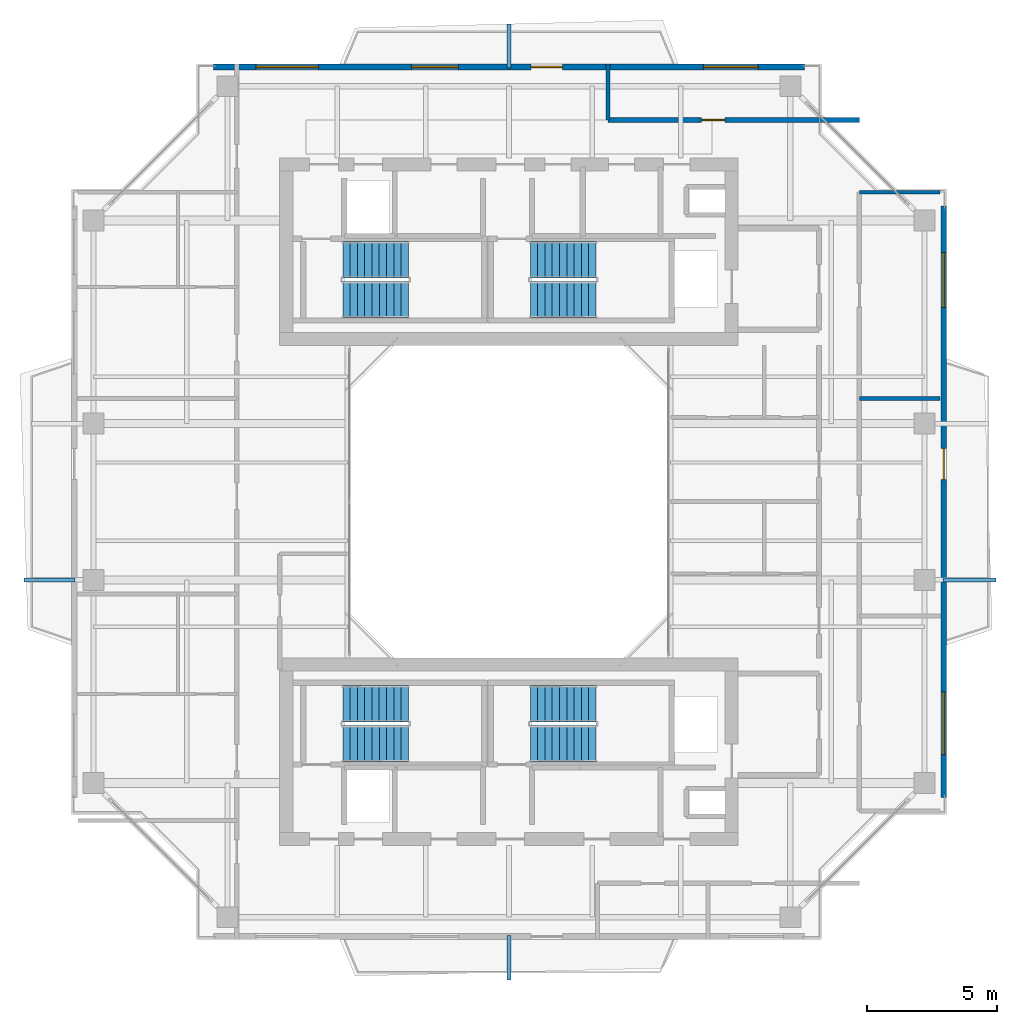
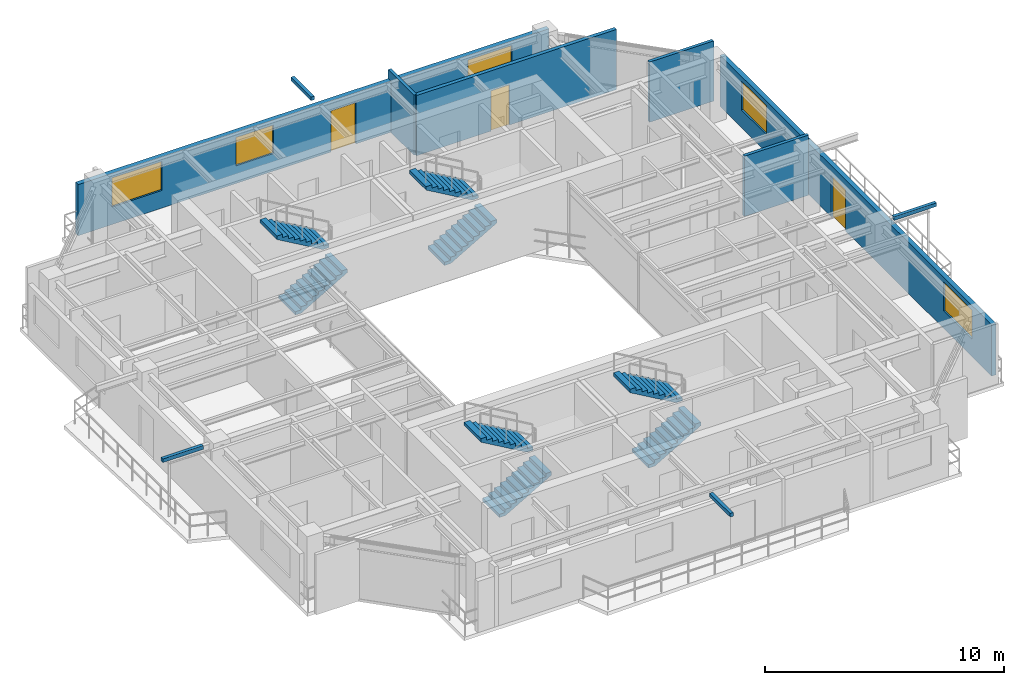
# One storey, part 13 of 15: 8 stair flights, 6 walls, 5 windows, 4 discrete accessories, 3 doors, 8 openings, 4 elements without a shape of their own.
"""IFC4 building model written with IfcOpenShell, lengths in metres."""

from ifc_helpers import new_model, si_unit, direction, frame, frame_2d, origin, origin_2d, place, context, subcontext, project, spatial, polyline, rectangle, outline, extrude, source, transform, mapped, material, layer, layer_set, type_object, element, fill, aggregate, save


model = new_model("IFC4")

# Units and contexts
model_context = context("Model", 3, precision=1e-05, world=origin(), true_north=direction((0.0, 1.0)))
body_context = subcontext(model_context, "Body", "Model", "MODEL_VIEW")
ifc_project = project(units=[si_unit("LENGTHUNIT", "METRE"), si_unit("AREAUNIT", "SQUARE_METRE"), si_unit("VOLUMEUNIT", "CUBIC_METRE"), si_unit("PLANEANGLEUNIT", "RADIAN"), si_unit("MASSUNIT", "GRAM", prefix="KILO"), si_unit("THERMODYNAMICTEMPERATUREUNIT", "KELVIN"), si_unit("POWERUNIT", "WATT")], contexts=[model_context])

# Site, building, storey
site_placement = place(None, origin())
site = spatial("IfcSite", under=ifc_project, at=site_placement, CompositionType="ELEMENT")
building_placement = place(site_placement, origin())
building = spatial("IfcBuilding", under=site, at=building_placement, Name="Qiaomeng Ring Towers", CompositionType="ELEMENT")
storey_placement = place(building_placement, frame((0.0, 0.0, 206.75)))
storey = spatial("IfcBuildingStorey", under=building, at=storey_placement, Name="L60", CompositionType="ELEMENT", Elevation=206.75)

# Wall, openings, windows, door
ifc_material_1 = material(Name="Precast concrete C40", Category="concrete")
ifc_layer_1 = layer(ifc_material_1, 0.219970703125, Name="Precast concrete C40")
ifc_layer_set_1 = layer_set([ifc_layer_1], Name="Precast concrete C40")
wall_type_1 = type_object("IfcWallType", Name="ARC-WL-EW2", PredefinedType="STANDARD", material=ifc_layer_set_1)
wall_1_placement = place(storey_placement, frame((7.64990234375, 39.68994140625, 0.0), z_axis=(0.0, 0.0, 1.0), x_axis=(1.0, 0.0, 0.0)))
wall_1 = element("IfcWall", 1, at=wall_1_placement, inside=storey, type_object=wall_type_1, Name="L60 Tower 1 N Exterior Wall", PredefinedType="STANDARD", context=body_context, shape_type="SweptSolid", body=[
    extrude(rectangle(XDim=22.7001953125, YDim=0.219970703125, at=frame_2d((11.35009765625, 0.0))), origin(), (0.0, 0.0, 1.0), 2.610107421875),
])
opening_1_placement = place(wall_1_placement, frame((12.199951171875, 0.0, 0.0)))
opening_1 = element("IfcOpeningElement", 2, at=opening_1_placement, cuts=wall_1, Name="Opening BD1", PredefinedType="OPENING", context=body_context, shape_type="SweptSolid", body=[
    extrude(rectangle(XDim=1.199951171875, YDim=2.10009765625, at=frame_2d((0.60009765625, 1.050048828125))), frame((0.0, 0.119873046875, 0.0), z_axis=(0.0, -1.0, 0.0), x_axis=(1.0, 0.0, 0.0)), (0.0, 0.0, 1.0), 0.239990234375),
])
opening_2_placement = place(wall_1_placement, frame((1.636962890625, 0.0, 0.89990234375)))
opening_2 = element("IfcOpeningElement", 3, at=opening_2_placement, cuts=wall_1, Name="Opening WN6", PredefinedType="OPENING", context=body_context, shape_type="SweptSolid", body=[
    extrude(rectangle(XDim=2.39990234375, YDim=1.47998046875, at=frame_2d((1.199951171875, 0.739990234375))), frame((0.0, 0.119873046875, 0.0), z_axis=(0.0, -1.0, 0.0), x_axis=(1.0, 0.0, 0.0)), (0.0, 0.0, 1.0), 0.239990234375),
])
opening_3_placement = place(wall_1_placement, frame((7.612060546875, 0.0, 0.89990234375)))
opening_3 = element("IfcOpeningElement", 4, at=opening_3_placement, cuts=wall_1, Name="Opening WN1", PredefinedType="OPENING", context=body_context, shape_type="SweptSolid", body=[
    extrude(rectangle(XDim=1.800048828125, YDim=1.449951171875, at=frame_2d((0.89990234375, 0.72509765625))), frame((0.0, 0.119873046875, 0.0), z_axis=(0.0, -1.0, 0.0), x_axis=(1.0, 0.0, 0.0)), (0.0, 0.0, 1.0), 0.239990234375),
])
opening_4_placement = place(wall_1_placement, frame((18.81201171875, 0.0, 0.89990234375)))
opening_4 = element("IfcOpeningElement", 5, at=opening_4_placement, cuts=wall_1, Name="Opening WN4", PredefinedType="OPENING", context=body_context, shape_type="SweptSolid", body=[
    extrude(rectangle(XDim=2.10009765625, YDim=1.47998046875, at=frame_2d((1.050048828125, 0.739990234375))), frame((0.0, 0.119873046875, 0.0), z_axis=(0.0, -1.0, 0.0), x_axis=(1.0, 0.0, 0.0)), (0.0, 0.0, 1.0), 0.239990234375),
])
ifc_material_2 = material(Name="Low-E dark-grey laminated double glazing", Category="glass")
window_type_1 = type_object("IfcWindowType", Name="ARC-WN-4", PartitioningType="TRIPLE_PANEL_VERTICAL", PredefinedType="WINDOW", material=ifc_material_2)
shared_shape_1 = source(origin(), body_context, "Body", "SweptSolid", [
    extrude(rectangle(XDim=2.10009765625, YDim=1.47998046875, at=frame_2d((1.050048828125, 0.739990234375))), frame((0.0, 0.030029296875, 0.0), z_axis=(0.0, -1.0, 0.0), x_axis=(1.0, 0.0, 0.0)), (0.0, 0.0, 1.0), 0.06005859375),
])
window_1_placement = place(opening_4_placement, origin())
window_1 = element("IfcWindow", 6, at=window_1_placement, inside=storey, type_object=window_type_1, Name="L60 Exterior Window WN4", OverallHeight=1.47998046875, OverallWidth=2.10009765625, PartitioningType="TRIPLE_PANEL_VERTICAL", PredefinedType="WINDOW", context=body_context, shape_type="MappedRepresentation", body=[
    mapped(shared_shape_1, transform((0.0, 0.0, 0.0), x_axis=(1.0, 0.0, 0.0), y_axis=(0.0, 1.0, 0.0), z_axis=(0.0, 0.0, 1.0), scale=1.0)),
])
fill(opening_4, window_1)
window_type_2 = type_object("IfcWindowType", Name="ARC-WN-1", PartitioningType="DOUBLE_PANEL_VERTICAL", PredefinedType="WINDOW", material=ifc_material_2)
shared_shape_2 = source(origin(), body_context, "Body", "SweptSolid", [
    extrude(rectangle(XDim=1.800048828125, YDim=1.449951171875, at=frame_2d((0.89990234375, 0.72509765625))), frame((0.0, 0.030029296875, 0.0), z_axis=(0.0, -1.0, 0.0), x_axis=(1.0, 0.0, 0.0)), (0.0, 0.0, 1.0), 0.06005859375),
])
window_2_placement = place(opening_3_placement, origin())
window_2 = element("IfcWindow", 7, at=window_2_placement, inside=storey, type_object=window_type_2, Name="L60 Exterior Window WN1", OverallHeight=1.449951171875, OverallWidth=1.800048828125, PartitioningType="DOUBLE_PANEL_VERTICAL", PredefinedType="WINDOW", context=body_context, shape_type="MappedRepresentation", body=[
    mapped(shared_shape_2, transform((0.0, 0.0, 0.0), x_axis=(1.0, 0.0, 0.0), y_axis=(0.0, 1.0, 0.0), z_axis=(0.0, 0.0, 1.0), scale=1.0)),
])
fill(opening_3, window_2)
window_type_3 = type_object("IfcWindowType", Name="ARC-WN-6", PartitioningType="TRIPLE_PANEL_VERTICAL", PredefinedType="WINDOW", material=ifc_material_2)
shared_shape_3 = source(origin(), body_context, "Body", "SweptSolid", [
    extrude(rectangle(XDim=2.39990234375, YDim=1.47998046875, at=frame_2d((1.199951171875, 0.739990234375))), frame((0.0, 0.030029296875, 0.0), z_axis=(0.0, -1.0, 0.0), x_axis=(1.0, 0.0, 0.0)), (0.0, 0.0, 1.0), 0.06005859375),
])
window_3_placement = place(opening_2_placement, origin())
window_3 = element("IfcWindow", 8, at=window_3_placement, inside=storey, type_object=window_type_3, Name="L60 Exterior Window WN6", OverallHeight=1.47998046875, OverallWidth=2.39990234375, PartitioningType="TRIPLE_PANEL_VERTICAL", PredefinedType="WINDOW", context=body_context, shape_type="MappedRepresentation", body=[
    mapped(shared_shape_3, transform((0.0, 0.0, 0.0), x_axis=(1.0, 0.0, 0.0), y_axis=(0.0, 1.0, 0.0), z_axis=(0.0, 0.0, 1.0), scale=1.0)),
])
fill(opening_2, window_3)
door_type_1 = type_object("IfcDoorType", Name="ARC-DR-BD1", OperationType="NOTDEFINED", PredefinedType="DOOR", material=ifc_material_2)
shared_shape_4 = source(origin(), body_context, "Body", "SweptSolid", [
    extrude(rectangle(XDim=1.199951171875, YDim=2.10009765625, at=frame_2d((0.60009765625, 1.050048828125))), frame((0.0, 0.02490234375, 0.0), z_axis=(0.0, -1.0, 0.0), x_axis=(1.0, 0.0, 0.0)), (0.0, 0.0, 1.0), 0.050048828125),
])
door_1_placement = place(opening_1_placement, origin())
door_1 = element("IfcDoor", 9, at=door_1_placement, inside=storey, type_object=door_type_1, Name="L60 N Balcony Glazed Door", OperationType="SINGLE_SWING_LEFT", OverallHeight=2.10009765625, OverallWidth=1.199951171875, PredefinedType="DOOR", context=body_context, shape_type="MappedRepresentation", body=[
    mapped(shared_shape_4, transform((0.0, 0.0, 0.0), x_axis=(1.0, 0.0, 0.0), y_axis=(0.0, 1.0, 0.0), z_axis=(0.0, 0.0, 1.0), scale=1.0)),
])
fill(opening_1, door_1)

wall_2_placement = place(storey_placement, frame((35.68994140625, 11.64990234375, 0.0), z_axis=(0.0, 0.0, 1.0), x_axis=(0.0, 1.0, 0.0)))
wall_2 = element("IfcWall", 10, at=wall_2_placement, inside=storey, type_object=wall_type_1, Name="L60 Tower 1 E Exterior Wall", PredefinedType="STANDARD", context=body_context, shape_type="SweptSolid", body=[
    extrude(rectangle(XDim=22.7001953125, YDim=0.219970703125, at=frame_2d((11.35009765625, 0.0))), origin(), (0.0, 0.0, 1.0), 2.610107421875),
])
opening_5_placement = place(wall_2_placement, frame((12.199951171875, 0.0, 0.0)))
opening_5 = element("IfcOpeningElement", 11, at=opening_5_placement, cuts=wall_2, Name="Opening BD1", PredefinedType="OPENING", context=body_context, shape_type="SweptSolid", body=[
    extrude(rectangle(XDim=1.199951171875, YDim=2.10009765625, at=frame_2d((0.60009765625, 1.050048828125))), frame((0.0, 0.119873046875, 0.0), z_axis=(0.0, -1.0, 0.0), x_axis=(1.0, 0.0, 0.0)), (0.0, 0.0, 1.0), 0.239990234375),
])
opening_6_placement = place(wall_2_placement, frame((1.637939453125, 0.0, 0.89990234375)))
opening_6 = element("IfcOpeningElement", 12, at=opening_6_placement, cuts=wall_2, Name="Opening WN6", PredefinedType="OPENING", context=body_context, shape_type="SweptSolid", body=[
    extrude(rectangle(XDim=2.39990234375, YDim=1.47998046875, at=frame_2d((1.199951171875, 0.739990234375))), frame((0.0, 0.119873046875, 0.0), z_axis=(0.0, -1.0, 0.0), x_axis=(1.0, 0.0, 0.0)), (0.0, 0.0, 1.0), 0.239990234375),
])
opening_7_placement = place(wall_2_placement, frame((18.81298828125, 0.0, 0.89990234375)))
opening_7 = element("IfcOpeningElement", 13, at=opening_7_placement, cuts=wall_2, Name="Opening WN4", PredefinedType="OPENING", context=body_context, shape_type="SweptSolid", body=[
    extrude(rectangle(XDim=2.10009765625, YDim=1.47998046875, at=frame_2d((1.050048828125, 0.739990234375))), frame((0.0, 0.119873046875, 0.0), z_axis=(0.0, -1.0, 0.0), x_axis=(1.0, 0.0, 0.0)), (0.0, 0.0, 1.0), 0.239990234375),
])
window_4_placement = place(opening_7_placement, origin())
window_4 = element("IfcWindow", 14, at=window_4_placement, inside=storey, type_object=window_type_1, Name="L60 Exterior Window WN4", OverallHeight=1.47998046875, OverallWidth=2.10009765625, PartitioningType="TRIPLE_PANEL_VERTICAL", PredefinedType="WINDOW", context=body_context, shape_type="MappedRepresentation", body=[
    mapped(shared_shape_1, transform((0.0, 0.0, 0.0), x_axis=(1.0, 0.0, 0.0), y_axis=(0.0, 1.0, 0.0), z_axis=(0.0, 0.0, 1.0), scale=1.0)),
])
fill(opening_7, window_4)
window_5_placement = place(opening_6_placement, origin())
window_5 = element("IfcWindow", 15, at=window_5_placement, inside=storey, type_object=window_type_3, Name="L60 Exterior Window WN6", OverallHeight=1.47998046875, OverallWidth=2.39990234375, PartitioningType="TRIPLE_PANEL_VERTICAL", PredefinedType="WINDOW", context=body_context, shape_type="MappedRepresentation", body=[
    mapped(shared_shape_3, transform((0.0, 0.0, 0.0), x_axis=(1.0, 0.0, 0.0), y_axis=(0.0, 1.0, 0.0), z_axis=(0.0, 0.0, 1.0), scale=1.0)),
])
fill(opening_6, window_5)
door_2_placement = place(opening_5_placement, origin())
door_2 = element("IfcDoor", 16, at=door_2_placement, inside=storey, type_object=door_type_1, Name="L60 E Balcony Glazed Door", OperationType="SINGLE_SWING_LEFT", OverallHeight=2.10009765625, OverallWidth=1.199951171875, PredefinedType="DOOR", context=body_context, shape_type="MappedRepresentation", body=[
    mapped(shared_shape_4, transform((0.0, 0.0, 0.0), x_axis=(1.0, 0.0, 0.0), y_axis=(0.0, 1.0, 0.0), z_axis=(0.0, 0.0, 1.0), scale=1.0)),
])
fill(opening_5, door_2)

# Wall, opening, door
ifc_material_3 = material(Name="Autoclaved aerated concrete block", Category="concrete")
ifc_layer_2 = layer(ifc_material_3, 0.179931640625, Name="Autoclaved aerated concrete block")
ifc_layer_set_2 = layer_set([ifc_layer_2], Name="Autoclaved aerated concrete block")
wall_type_2 = type_object("IfcWallType", Name="ARC-WL-PW2", PredefinedType="PARTITIONING", material=ifc_layer_set_2)
wall_3_placement = place(storey_placement, frame((22.800048828125, 37.64990234375, 0.0), z_axis=(0.0, 0.0, 1.0), x_axis=(1.0, 0.0, 0.0)))
wall_3 = element("IfcWall", 17, at=wall_3_placement, inside=storey, type_object=wall_type_2, Name="L60 Interior Wall PW2", PredefinedType="PARTITIONING", context=body_context, shape_type="SweptSolid", body=[
    extrude(rectangle(XDim=9.64990234375, YDim=0.179931640625, at=frame_2d((4.824951171875, 0.0))), origin(), (0.0, 0.0, 1.0), 3.070068359375),
])
opening_8_placement = place(wall_3_placement, frame((3.590087890625, 0.0, 0.0)))
opening_8 = element("IfcOpeningElement", 18, at=opening_8_placement, cuts=wall_3, Name="Opening ID1", PredefinedType="OPENING", context=body_context, shape_type="SweptSolid", body=[
    extrude(rectangle(XDim=0.89990234375, YDim=2.050048828125, at=frame_2d((0.449951171875, 1.02490234375))), frame((0.0, 0.099853515625, 0.0), z_axis=(0.0, -1.0, 0.0), x_axis=(1.0, 0.0, 0.0)), (0.0, 0.0, 1.0), 0.199951171875),
])
ifc_material_4 = material(Name="Engineered oak timber", Category="wood")
door_type_2 = type_object("IfcDoorType", Name="ARC-DR-ID1", OperationType="NOTDEFINED", PredefinedType="DOOR", material=ifc_material_4)
shared_shape_5 = source(origin(), body_context, "Body", "SweptSolid", [
    extrude(rectangle(XDim=0.89990234375, YDim=2.050048828125, at=frame_2d((0.449951171875, 1.02490234375))), frame((0.0, 0.02490234375, 0.0), z_axis=(0.0, -1.0, 0.0), x_axis=(1.0, 0.0, 0.0)), (0.0, 0.0, 1.0), 0.050048828125),
])
door_3_placement = place(opening_8_placement, origin())
door_3 = element("IfcDoor", 19, at=door_3_placement, inside=storey, type_object=door_type_2, Name="L60 Door ID1", OperationType="SINGLE_SWING_RIGHT", OverallHeight=2.050048828125, OverallWidth=0.89990234375, PredefinedType="DOOR", context=body_context, shape_type="MappedRepresentation", body=[
    mapped(shared_shape_5, transform((0.0, 0.0, 0.0), x_axis=(1.0, 0.0, 0.0), y_axis=(0.0, 1.0, 0.0), z_axis=(0.0, 0.0, 1.0), scale=1.0)),
])
fill(opening_8, door_3)

# Walls
ifc_material_5 = material(Name="Gypsum fireboard steel-stud partition", Category="steel")
ifc_layer_3 = layer(ifc_material_5, 0.14990234375, Name="Gypsum fireboard steel-stud partition")
ifc_layer_set_3 = layer_set([ifc_layer_3], Name="Gypsum fireboard steel-stud partition")
wall_type_3 = type_object("IfcWallType", Name="ARC-WL-PW3", PredefinedType="PARTITIONING", material=ifc_layer_set_3)
wall_4_placement = place(storey_placement, frame((22.800048828125, 37.64990234375, 0.0), z_axis=(0.0, 0.0, 1.0), x_axis=(0.0, 1.0, 0.0)))
element("IfcWall", 20, at=wall_4_placement, inside=storey, type_object=wall_type_3, Name="L60 Interior Wall PW3", PredefinedType="PARTITIONING", context=body_context, shape_type="SweptSolid", body=[
    extrude(rectangle(XDim=2.150146484375, YDim=0.14990234375, at=frame_2d((1.0751953125, 0.0))), origin(), (0.0, 0.0, 1.0), 3.070068359375),
])
for number, where, z_axis, x_axis, name in (
    (21, (32.449951171875, 34.8798828125, 0.0), (0.0, 0.0, 1.0), (1.0, 0.0, 0.0), "L60 Interior Wall PW3"),
    (22, (32.449951171875, 26.9599609375, 0.0), (0.0, 0.0, 1.0), (1.0, 0.0, 0.0), "L60 Interior Wall PW3"),
):
    element("IfcWall", number, at=place(storey_placement, frame(where, z_axis=z_axis, x_axis=x_axis)), inside=storey, type_object=wall_type_3, Name=name, PredefinedType="PARTITIONING", context=body_context, shape_type="SweptSolid", body=[
        extrude(rectangle(XDim=3.10009765625, YDim=0.14990234375, at=frame_2d((1.550048828125, 0.0))), origin(), (0.0, 0.0, 1.0), 3.070068359375),
    ])

# Stair, stair flights
stair_type = type_object("IfcStairType", Name="ARC-ST-325", PredefinedType="HALF_TURN_STAIR", material=ifc_material_1)
stair_1_placement = place(storey_placement, origin())
stair_1 = element("IfcStair", 23, at=stair_1_placement, inside=storey, type_object=stair_type, Name="L60 Tower 1 North Stair 1", PredefinedType="HALF_TURN_STAIR")
stair_flight_type = type_object("IfcStairFlightType", Name="ARC-ST-325-FL", PredefinedType="STRAIGHT", material=ifc_material_1)
shared_shape_6 = source(origin(), body_context, "Body", "SweptSolid", [
    extrude(outline(polyline([(0.0, 0.0), (0.0, 0.16259765625), (0.280029296875, 0.16259765625), (0.280029296875, 0.324951171875), (0.56005859375, 0.324951171875), (0.56005859375, 0.487548828125), (0.840087890625, 0.487548828125), (0.840087890625, 0.64990234375), (1.1201171875, 0.64990234375), (1.1201171875, 0.8125), (1.39990234375, 0.8125), (1.39990234375, 0.97509765625), (1.679931640625, 0.97509765625), (1.679931640625, 1.137451171875), (1.9599609375, 1.137451171875), (1.9599609375, 1.300048828125), (2.239990234375, 1.300048828125), (2.239990234375, 1.46240234375), (2.52001953125, 1.46240234375), (2.52001953125, 1.625), (2.52001953125, 1.2890625), (0.298583984375, 0.0), (0.0, 0.0)])), frame((0.0, 0.699951171875, 0.0), z_axis=(0.0, -1.0, 0.0), x_axis=(1.0, 0.0, 0.0)), (0.0, 0.0, 1.0), 1.39990234375),
])
stair_flight_1_placement = place(storey_placement, frame((12.6201171875, 30.75, 0.0), z_axis=(0.0, 0.0, 1.0), x_axis=(1.0, 0.0, 0.0)))
stair_flight_1 = element("IfcStairFlight", 24, at=stair_flight_1_placement, type_object=stair_flight_type, Name="ST1 flight 1", NumberOfRisers=10, NumberOfTreads=9, PredefinedType="STRAIGHT", RiserHeight=0.1625, TreadLength=0.28, context=body_context, shape_type="MappedRepresentation", body=[
    mapped(shared_shape_6, transform((0.0, 0.0, 0.0), x_axis=(1.0, 0.0, 0.0), y_axis=(0.0, 1.0, 0.0), z_axis=(0.0, 0.0, 1.0), scale=1.0)),
])
stair_flight_2_placement = place(storey_placement, frame((15.139892578125, 32.2900390625, 1.625), z_axis=(0.0, 0.0, 1.0), x_axis=(-1.0, 0.0, 0.0)))
stair_flight_2 = element("IfcStairFlight", 25, at=stair_flight_2_placement, type_object=stair_flight_type, Name="ST1 flight 2", NumberOfRisers=10, NumberOfTreads=9, PredefinedType="STRAIGHT", RiserHeight=0.1625, TreadLength=0.28, context=body_context, shape_type="MappedRepresentation", body=[
    mapped(shared_shape_6, transform((0.0, 0.0, 0.0), x_axis=(1.0, 0.0, 0.0), y_axis=(0.0, 1.0, 0.0), z_axis=(0.0, 0.0, 1.0), scale=1.0)),
])
aggregate(stair_1, [stair_flight_1, stair_flight_2])

stair_2_placement = place(storey_placement, origin())
stair_2 = element("IfcStair", 26, at=stair_2_placement, inside=storey, type_object=stair_type, Name="L60 Tower 1 North Stair 2", PredefinedType="HALF_TURN_STAIR")
stair_flight_3_placement = place(storey_placement, frame((19.820068359375, 30.75, 0.0), z_axis=(0.0, 0.0, 1.0), x_axis=(1.0, 0.0, 0.0)))
stair_flight_3 = element("IfcStairFlight", 27, at=stair_flight_3_placement, type_object=stair_flight_type, Name="ST2 flight 1", NumberOfRisers=10, NumberOfTreads=9, PredefinedType="STRAIGHT", RiserHeight=0.1625, TreadLength=0.28, context=body_context, shape_type="MappedRepresentation", body=[
    mapped(shared_shape_6, transform((0.0, 0.0, 0.0), x_axis=(1.0, 0.0, 0.0), y_axis=(0.0, 1.0, 0.0), z_axis=(0.0, 0.0, 1.0), scale=1.0)),
])
stair_flight_4_placement = place(storey_placement, frame((22.340087890625, 32.2900390625, 1.625), z_axis=(0.0, 0.0, 1.0), x_axis=(-1.0, 0.0, 0.0)))
stair_flight_4 = element("IfcStairFlight", 28, at=stair_flight_4_placement, type_object=stair_flight_type, Name="ST2 flight 2", NumberOfRisers=10, NumberOfTreads=9, PredefinedType="STRAIGHT", RiserHeight=0.1625, TreadLength=0.28, context=body_context, shape_type="MappedRepresentation", body=[
    mapped(shared_shape_6, transform((0.0, 0.0, 0.0), x_axis=(1.0, 0.0, 0.0), y_axis=(0.0, 1.0, 0.0), z_axis=(0.0, 0.0, 1.0), scale=1.0)),
])
aggregate(stair_2, [stair_flight_3, stair_flight_4])

stair_3_placement = place(storey_placement, origin())
stair_3 = element("IfcStair", 29, at=stair_3_placement, inside=storey, type_object=stair_type, Name="L60 Tower 1 South Stair 3", PredefinedType="HALF_TURN_STAIR")
stair_flight_5_placement = place(storey_placement, frame((12.6201171875, 13.7099609375, 0.0), z_axis=(0.0, 0.0, 1.0), x_axis=(1.0, 0.0, 0.0)))
stair_flight_5 = element("IfcStairFlight", 30, at=stair_flight_5_placement, type_object=stair_flight_type, Name="ST3 flight 1", NumberOfRisers=10, NumberOfTreads=9, PredefinedType="STRAIGHT", RiserHeight=0.1625, TreadLength=0.28, context=body_context, shape_type="MappedRepresentation", body=[
    mapped(shared_shape_6, transform((0.0, 0.0, 0.0), x_axis=(1.0, 0.0, 0.0), y_axis=(0.0, 1.0, 0.0), z_axis=(0.0, 0.0, 1.0), scale=1.0)),
])
stair_flight_6_placement = place(storey_placement, frame((15.139892578125, 15.25, 1.625), z_axis=(0.0, 0.0, 1.0), x_axis=(-1.0, 0.0, 0.0)))
stair_flight_6 = element("IfcStairFlight", 31, at=stair_flight_6_placement, type_object=stair_flight_type, Name="ST3 flight 2", NumberOfRisers=10, NumberOfTreads=9, PredefinedType="STRAIGHT", RiserHeight=0.1625, TreadLength=0.28, context=body_context, shape_type="MappedRepresentation", body=[
    mapped(shared_shape_6, transform((0.0, 0.0, 0.0), x_axis=(1.0, 0.0, 0.0), y_axis=(0.0, 1.0, 0.0), z_axis=(0.0, 0.0, 1.0), scale=1.0)),
])
aggregate(stair_3, [stair_flight_5, stair_flight_6])

stair_4_placement = place(storey_placement, origin())
stair_4 = element("IfcStair", 32, at=stair_4_placement, inside=storey, type_object=stair_type, Name="L60 Tower 1 South Stair 4", PredefinedType="HALF_TURN_STAIR")
stair_flight_7_placement = place(storey_placement, frame((19.820068359375, 13.7099609375, 0.0), z_axis=(0.0, 0.0, 1.0), x_axis=(1.0, 0.0, 0.0)))
stair_flight_7 = element("IfcStairFlight", 33, at=stair_flight_7_placement, type_object=stair_flight_type, Name="ST4 flight 1", NumberOfRisers=10, NumberOfTreads=9, PredefinedType="STRAIGHT", RiserHeight=0.1625, TreadLength=0.28, context=body_context, shape_type="MappedRepresentation", body=[
    mapped(shared_shape_6, transform((0.0, 0.0, 0.0), x_axis=(1.0, 0.0, 0.0), y_axis=(0.0, 1.0, 0.0), z_axis=(0.0, 0.0, 1.0), scale=1.0)),
])
stair_flight_8_placement = place(storey_placement, frame((22.340087890625, 15.25, 1.625), z_axis=(0.0, 0.0, 1.0), x_axis=(-1.0, 0.0, 0.0)))
stair_flight_8 = element("IfcStairFlight", 34, at=stair_flight_8_placement, type_object=stair_flight_type, Name="ST4 flight 2", NumberOfRisers=10, NumberOfTreads=9, PredefinedType="STRAIGHT", RiserHeight=0.1625, TreadLength=0.28, context=body_context, shape_type="MappedRepresentation", body=[
    mapped(shared_shape_6, transform((0.0, 0.0, 0.0), x_axis=(1.0, 0.0, 0.0), y_axis=(0.0, 1.0, 0.0), z_axis=(0.0, 0.0, 1.0), scale=1.0)),
])
aggregate(stair_4, [stair_flight_7, stair_flight_8])

# Discrete accessories
ifc_material_6 = material(Name="Stainless steel 316", Category="steel")
discrete_accessory_type = type_object("IfcDiscreteAccessoryType", Name="ARC-ACC-BRACKET", PredefinedType="BRACKET", material=ifc_material_6)
shared_shape_7 = source(origin(), body_context, "Body", "SweptSolid", [
    extrude(rectangle(XDim=2.050048828125, YDim=0.159912109375, at=origin_2d()), origin(), (0.0, 0.0, 1.0), 0.179931640625),
])
discrete_accessory_1_placement = place(storey_placement, frame((36.675048828125, 20.0, 2.89990234375), z_axis=(0.0, 0.0, 1.0), x_axis=(1.0, 0.0, 0.0)))
element("IfcDiscreteAccessory", 35, at=discrete_accessory_1_placement, inside=storey, type_object=discrete_accessory_type, Name="L60 Stainless Outer-Skin Tie Bracket E", PredefinedType="BRACKET", context=body_context, shape_type="MappedRepresentation", body=[
    mapped(shared_shape_7, transform((0.0, 0.0, 0.0), x_axis=(1.0, 0.0, 0.0), y_axis=(0.0, 1.0, 0.0), z_axis=(0.0, 0.0, 1.0), scale=1.0)),
])
shared_shape_8 = source(origin(), body_context, "Body", "SweptSolid", [
    extrude(rectangle(XDim=0.159912109375, YDim=1.7099609375, at=origin_2d()), origin(), (0.0, 0.0, 1.0), 0.179931640625),
])
discrete_accessory_2_placement = place(storey_placement, frame((19.0, 5.4951171875, 2.89990234375), z_axis=(0.0, 0.0, 1.0), x_axis=(1.0, 0.0, 0.0)))
element("IfcDiscreteAccessory", 36, at=discrete_accessory_2_placement, inside=storey, type_object=discrete_accessory_type, Name="L60 Stainless Outer-Skin Tie Bracket S", PredefinedType="BRACKET", context=body_context, shape_type="MappedRepresentation", body=[
    mapped(shared_shape_8, transform((0.0, 0.0, 0.0), x_axis=(1.0, 0.0, 0.0), y_axis=(0.0, 1.0, 0.0), z_axis=(0.0, 0.0, 1.0), scale=1.0)),
])
shared_shape_9 = source(origin(), body_context, "Body", "SweptSolid", [
    extrude(rectangle(XDim=0.159912109375, YDim=1.68994140625, at=origin_2d()), origin(), (0.0, 0.0, 1.0), 0.179931640625),
])
discrete_accessory_3_placement = place(storey_placement, frame((19.0, 40.4951171875, 2.89990234375), z_axis=(0.0, 0.0, 1.0), x_axis=(1.0, 0.0, 0.0)))
element("IfcDiscreteAccessory", 37, at=discrete_accessory_3_placement, inside=storey, type_object=discrete_accessory_type, Name="L60 Stainless Outer-Skin Tie Bracket N", PredefinedType="BRACKET", context=body_context, shape_type="MappedRepresentation", body=[
    mapped(shared_shape_9, transform((0.0, 0.0, 0.0), x_axis=(1.0, 0.0, 0.0), y_axis=(0.0, 1.0, 0.0), z_axis=(0.0, 0.0, 1.0), scale=1.0)),
])
shared_shape_10 = source(origin(), body_context, "Body", "SweptSolid", [
    extrude(rectangle(XDim=1.969970703125, YDim=0.159912109375, at=origin_2d()), origin(), (0.0, 0.0, 1.0), 0.179931640625),
])
discrete_accessory_4_placement = place(storey_placement, frame((1.364990234375, 20.0, 2.89990234375), z_axis=(0.0, 0.0, 1.0), x_axis=(1.0, 0.0, 0.0)))
element("IfcDiscreteAccessory", 38, at=discrete_accessory_4_placement, inside=storey, type_object=discrete_accessory_type, Name="L60 Stainless Outer-Skin Tie Bracket W", PredefinedType="BRACKET", context=body_context, shape_type="MappedRepresentation", body=[
    mapped(shared_shape_10, transform((0.0, 0.0, 0.0), x_axis=(1.0, 0.0, 0.0), y_axis=(0.0, 1.0, 0.0), z_axis=(0.0, 0.0, 1.0), scale=1.0)),
])

save(model, "model.ifc")
